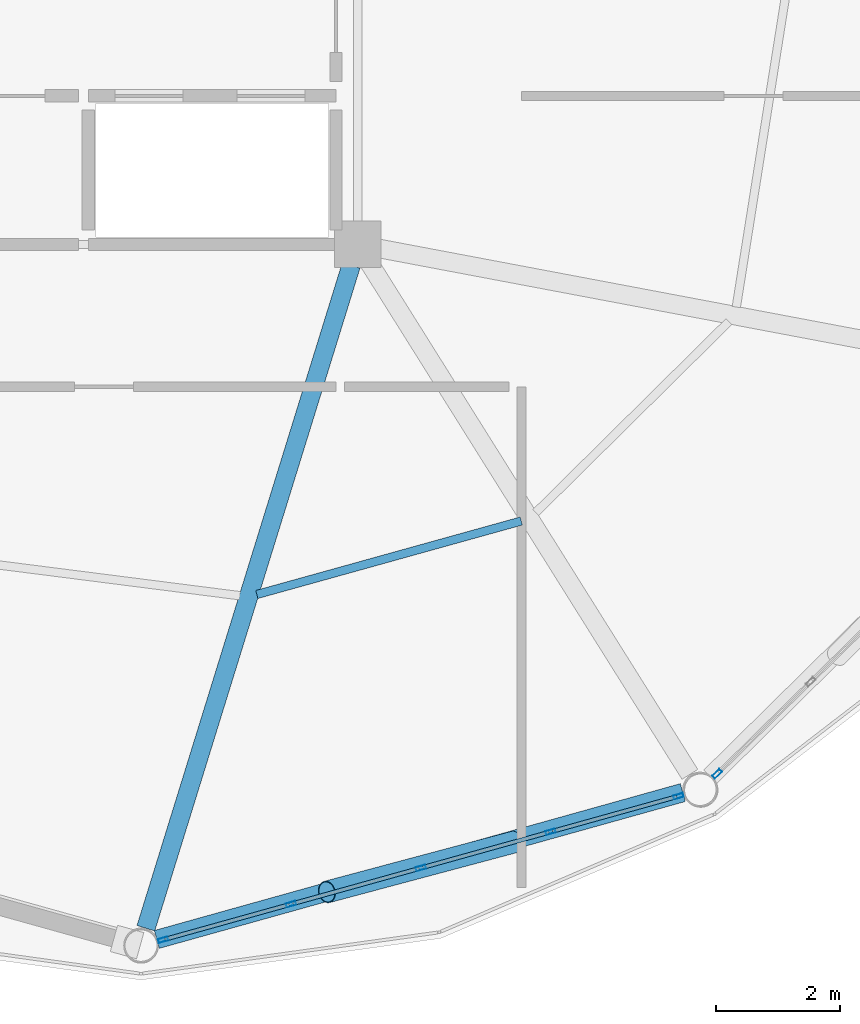
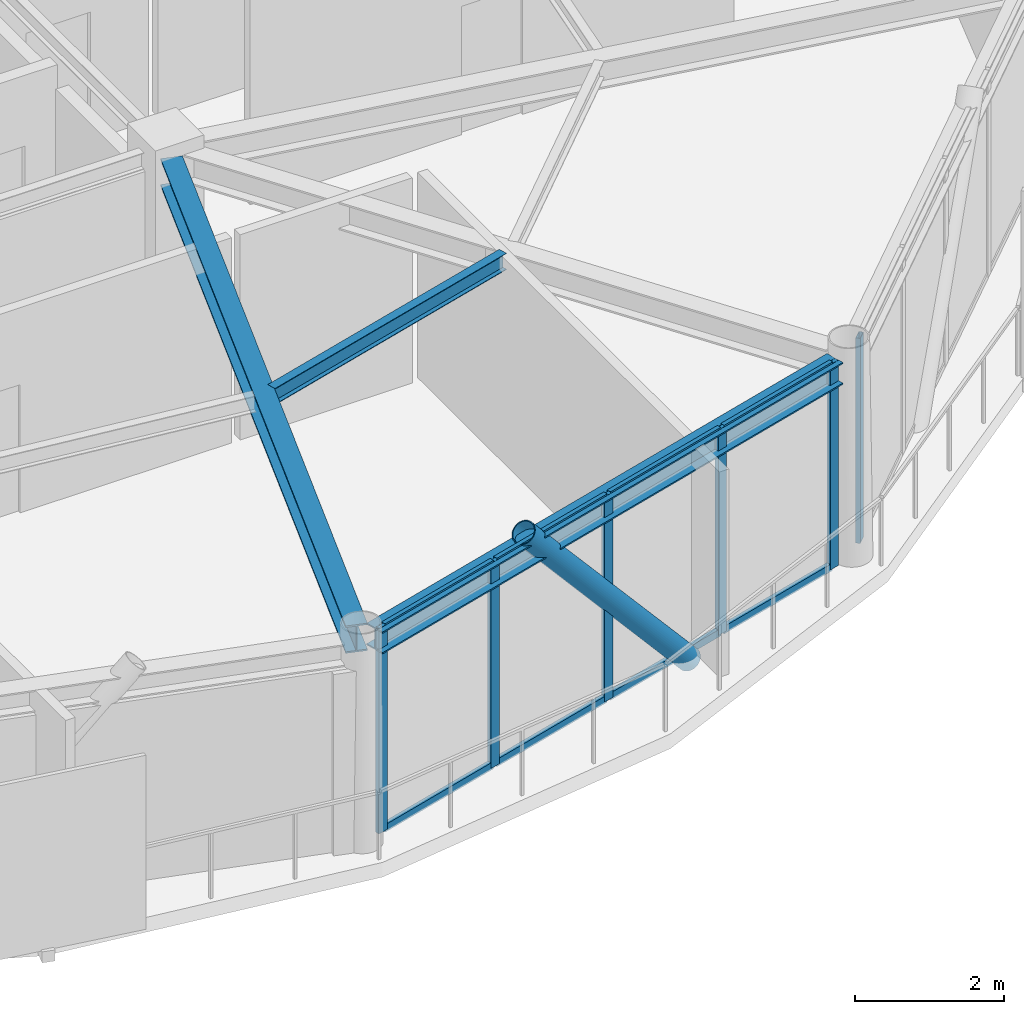
# One storey, part 7 of 27: 15 members, 3 beams, 2 elements without a shape of their own.
"""IFC4 building model written with IfcOpenShell, lengths in metres."""

from ifc_helpers import new_model, si_unit, direction, frame, origin, origin_2d, place, context, subcontext, project, spatial, hollow_rectangle, hollow_circle, i_section, extrude, material, layer, layer_set, material_profile, profile_set, type_object, element, aggregate, save


model = new_model("IFC4")

# Units and contexts
model_context = context("Model", 3, precision=1e-05, world=origin(), true_north=direction((0.0, 1.0)))
body_context = subcontext(model_context, "Body", "Model", "MODEL_VIEW")
ifc_project = project(units=[si_unit("LENGTHUNIT", "METRE"), si_unit("AREAUNIT", "SQUARE_METRE"), si_unit("VOLUMEUNIT", "CUBIC_METRE"), si_unit("PLANEANGLEUNIT", "RADIAN"), si_unit("MASSUNIT", "GRAM", prefix="KILO")], contexts=[model_context])

# Site, building, storey
site_placement = place(None, origin())
site = spatial("IfcSite", under=ifc_project, at=site_placement, CompositionType="ELEMENT")
building_placement = place(site_placement, origin())
building = spatial("IfcBuilding", under=site, at=building_placement, Name="Varnakorn Sky Granary", CompositionType="ELEMENT")
storey_placement = place(building_placement, frame((0.0, 0.0, 263.39990234375)))
storey = spatial("IfcBuildingStorey", under=building, at=storey_placement, Name="L67", CompositionType="ELEMENT", Elevation=263.39990234375)

# Beams
ifc_material_1 = material(Name="Steel S355JR", Category="steel")
ifc_material_profile_1 = material_profile(ifc_material_1, i_section(OverallWidth=0.300048828125, OverallDepth=0.449951171875, WebThickness=0.013916015625, FlangeThickness=0.02587890625, at=origin_2d()), Name="HE 450 B")
ifc_profile_set_1 = profile_set([ifc_material_profile_1], Name="Steel S355JR")
beam_type_1 = type_object("IfcBeamType", Name="BM-RAD-Z5", PredefinedType="BEAM", material=ifc_profile_set_1)
beam_1_placement = place(storey_placement, frame((8.2451171875, -6.939208984375, 3.135009765625), z_axis=(-0.295808145995, -0.955247371503, 0.0), x_axis=(0.955247371503, -0.295808145995, 0.0)))
element("IfcBeam", 1, at=beam_1_placement, inside=storey, type_object=beam_type_1, Name="Radial Floor Girder RG10 L67", PredefinedType="BEAM", context=body_context, shape_type="SweptSolid", body=[
    extrude(i_section(OverallWidth=0.300048828125, OverallDepth=0.449951171875, WebThickness=0.013916015625, FlangeThickness=0.02587890625, at=origin_2d()), origin(), (0.0, 0.0, 1.0), 11.212890625),
])
ifc_material_profile_2 = material_profile(ifc_material_1, i_section(OverallWidth=0.135009765625, OverallDepth=0.27001953125, WebThickness=0.006591796875, FlangeThickness=0.01025390625, at=origin_2d()), Name="IPE 270")
ifc_profile_set_2 = profile_set([ifc_material_profile_2], Name="Steel S355JR")
beam_type_2 = type_object("IfcBeamType", Name="BM-SEC-Z5", PredefinedType="BEAM", material=ifc_profile_set_2)
beam_2_placement = place(storey_placement, frame((6.721435546875, -12.257080078125, 3.22509765625), z_axis=(0.96348477762, 0.267763110407, 0.0), x_axis=(-0.267763110407, 0.96348477762, 0.0)))
element("IfcBeam", 2, at=beam_2_placement, inside=storey, type_object=beam_type_2, Name="Secondary Floor Chord Beam MSB10 L67", PredefinedType="BEAM", context=body_context, shape_type="SweptSolid", body=[
    extrude(i_section(OverallWidth=0.135009765625, OverallDepth=0.27001953125, WebThickness=0.006591796875, FlangeThickness=0.01025390625, at=origin_2d()), origin(), (0.0, 0.0, 1.0), 4.434814453125),
])
ifc_material_profile_3 = material_profile(ifc_material_1, i_section(OverallWidth=0.300048828125, OverallDepth=0.360107421875, WebThickness=0.012451171875, FlangeThickness=0.0224609375, at=origin_2d()), Name="HE 360 B")
ifc_profile_set_3 = profile_set([ifc_material_profile_3], Name="Steel S355JR")
beam_type_3 = type_object("IfcBeamType", Name="BM-SPD-Z5", PredefinedType="SPANDREL", material=ifc_profile_set_3)
beam_3_placement = place(storey_placement, frame((5.104736328125, -17.831787109375, 3.18017578125), z_axis=(0.963169148577, 0.268896246218, 0.0), x_axis=(-0.268896246218, 0.963169148577, 0.0)))
element("IfcBeam", 3, at=beam_3_placement, inside=storey, type_object=beam_type_3, Name="Perimeter Spandrel Ring Beam RB10 L67", PredefinedType="SPANDREL", context=body_context, shape_type="SweptSolid", body=[
    extrude(i_section(OverallWidth=0.300048828125, OverallDepth=0.360107421875, WebThickness=0.012451171875, FlangeThickness=0.0224609375, at=origin_2d()), origin(), (0.0, 0.0, 1.0), 8.825927734375),
])

# Curtain wall, members
ifc_material_2 = material(Name="Anodised Bronze Aluminium Alloy 6063-T6", Category="aluminium")
ifc_layer = layer(ifc_material_2, 0.159912109375, Name="Anodised Bronze Aluminium Alloy 6063-T6")
ifc_layer_set = layer_set([ifc_layer], Name="Anodised Bronze Aluminium Alloy 6063-T6")
curtain_wall_type = type_object("IfcCurtainWallType", Name="CW-OFF-1", PredefinedType="USERDEFINED", material=ifc_layer_set)
curtain_wall_1_placement = place(storey_placement, origin())
curtain_wall_1 = element("IfcCurtainWall", 4, at=curtain_wall_1_placement, inside=storey, type_object=curtain_wall_type, Name="Unitised Curtain Wall CW6 CW-L67-B10", ObjectType="CURTAIN WALL", PredefinedType="USERDEFINED")
ifc_material_profile_4 = material_profile(ifc_material_2, hollow_rectangle(XDim=0.06494140625, YDim=0.159912109375, WallThickness=0.00341796875, at=origin_2d()), Name="ALU MULL 65x160")
ifc_profile_set_4 = profile_set([ifc_material_profile_4], Name="Anodised Bronze Aluminium Alloy 6063-T6")
member_type_1 = type_object("IfcMemberType", Name="CW-OFF-1-MULL", PredefinedType="MULLION", material=ifc_profile_set_4)
member_1_placement = place(storey_placement, frame((13.5361328125, -15.516845703125, 0.0), z_axis=(0.0, 0.0, 1.0), x_axis=(0.268401127573, -0.963307237966, 0.0)))
member_1 = element("IfcMember", 5, at=member_1_placement, type_object=member_type_1, Name="CW6 mullion 1", PredefinedType="MULLION", context=body_context, shape_type="SweptSolid", body=[
    extrude(hollow_rectangle(XDim=0.06494140625, YDim=0.159912109375, WallThickness=0.00341796875, at=origin_2d()), origin(), (0.0, 0.0, 1.0), 3.360107421875),
])
member_2_placement = place(storey_placement, frame((11.469970703125, -16.092529296875, 0.0), z_axis=(0.0, 0.0, 1.0), x_axis=(0.268401127573, -0.963307237966, 0.0)))
member_2 = element("IfcMember", 6, at=member_2_placement, type_object=member_type_1, Name="CW6 mullion 2", PredefinedType="MULLION", context=body_context, shape_type="SweptSolid", body=[
    extrude(hollow_rectangle(XDim=0.06494140625, YDim=0.159912109375, WallThickness=0.00341796875, at=origin_2d()), origin(), (0.0, 0.0, 1.0), 3.360107421875),
])
member_3_placement = place(storey_placement, frame((9.372314453125, -16.677001953125, 0.0), z_axis=(0.0, 0.0, 1.0), x_axis=(0.268401127573, -0.963307237966, 0.0)))
member_3 = element("IfcMember", 7, at=member_3_placement, type_object=member_type_1, Name="CW6 mullion 3", PredefinedType="MULLION", context=body_context, shape_type="SweptSolid", body=[
    extrude(hollow_rectangle(XDim=0.06494140625, YDim=0.159912109375, WallThickness=0.00341796875, at=origin_2d()), origin(), (0.0, 0.0, 1.0), 3.360107421875),
])
member_4_placement = place(storey_placement, frame((7.274658203125, -17.261474609375, 0.0), z_axis=(0.0, 0.0, 1.0), x_axis=(0.268401127573, -0.963307237966, 0.0)))
member_4 = element("IfcMember", 8, at=member_4_placement, type_object=member_type_1, Name="CW6 mullion 4", PredefinedType="MULLION", context=body_context, shape_type="SweptSolid", body=[
    extrude(hollow_rectangle(XDim=0.06494140625, YDim=0.159912109375, WallThickness=0.00341796875, at=origin_2d()), origin(), (0.0, 0.0, 1.0), 3.360107421875),
])
member_5_placement = place(storey_placement, frame((5.208251953125, -17.837158203125, 0.0), z_axis=(0.0, 0.0, 1.0), x_axis=(0.268401127573, -0.963307237966, 0.0)))
member_5 = element("IfcMember", 9, at=member_5_placement, type_object=member_type_1, Name="CW6 mullion 5", PredefinedType="MULLION", context=body_context, shape_type="SweptSolid", body=[
    extrude(hollow_rectangle(XDim=0.06494140625, YDim=0.159912109375, WallThickness=0.00341796875, at=origin_2d()), origin(), (0.0, 0.0, 1.0), 3.360107421875),
])

# Curtain wall, member
curtain_wall_2_placement = place(storey_placement, origin())
curtain_wall_2 = element("IfcCurtainWall", 10, at=curtain_wall_2_placement, inside=storey, type_object=curtain_wall_type, Name="Unitised Curtain Wall CW6 CW-L67-B11", ObjectType="CURTAIN WALL", PredefinedType="USERDEFINED")
member_6_placement = place(storey_placement, frame((14.15966796875, -15.156005859375, 0.0), z_axis=(0.0, 0.0, 1.0), x_axis=(0.701440030116, -0.71272847856, 0.0)))
member_6 = element("IfcMember", 11, at=member_6_placement, type_object=member_type_1, Name="CW6 mullion 5", PredefinedType="MULLION", context=body_context, shape_type="SweptSolid", body=[
    extrude(hollow_rectangle(XDim=0.06494140625, YDim=0.159912109375, WallThickness=0.00341796875, at=origin_2d()), origin(), (0.0, 0.0, 1.0), 3.360107421875),
])
aggregate(curtain_wall_2, [member_6])

# Member
ifc_material_profile_5 = material_profile(ifc_material_2, hollow_rectangle(XDim=0.06494140625, YDim=0.1201171875, WallThickness=0.00341796875, at=origin_2d()), Name="ALU TRAN 65x120")
ifc_profile_set_5 = profile_set([ifc_material_profile_5], Name="Anodised Bronze Aluminium Alloy 6063-T6")
member_type_2 = type_object("IfcMemberType", Name="CW-OFF-1-TRAN", PredefinedType="USERDEFINED", material=ifc_profile_set_5)
member_7_placement = place(storey_placement, frame((13.5048828125, -15.525634765625, 0.03271484375), z_axis=(-0.963327640961, -0.26832788927, 0.0), x_axis=(0.26832788927, -0.963327640961, 0.0)))
member_7 = element("IfcMember", 12, at=member_7_placement, type_object=member_type_2, Name="CW6 transom 1.1", ObjectType="TRANSOM", PredefinedType="USERDEFINED", context=body_context, shape_type="SweptSolid", body=[
    extrude(hollow_rectangle(XDim=0.06494140625, YDim=0.1201171875, WallThickness=0.00341796875, at=origin_2d()), origin(), (0.0, 0.0, 1.0), 2.079833984375),
])

member_8_placement = place(storey_placement, frame((13.5048828125, -15.525634765625, 3.32763671875), z_axis=(-0.963327640961, -0.26832788927, 0.0), x_axis=(0.26832788927, -0.963327640961, 0.0)))
member_8 = element("IfcMember", 13, at=member_8_placement, type_object=member_type_2, Name="CW6 transom 1.2", ObjectType="TRANSOM", PredefinedType="USERDEFINED", context=body_context, shape_type="SweptSolid", body=[
    extrude(hollow_rectangle(XDim=0.06494140625, YDim=0.1201171875, WallThickness=0.00341796875, at=origin_2d()), origin(), (0.0, 0.0, 1.0), 2.079833984375),
])

member_9_placement = place(storey_placement, frame((11.4384765625, -16.101318359375, 0.03271484375), z_axis=(-0.963317287661, -0.268365056023, 0.0), x_axis=(0.268365056023, -0.963317287661, 0.0)))
member_9 = element("IfcMember", 14, at=member_9_placement, type_object=member_type_2, Name="CW6 transom 2.1", ObjectType="TRANSOM", PredefinedType="USERDEFINED", context=body_context, shape_type="SweptSolid", body=[
    extrude(hollow_rectangle(XDim=0.06494140625, YDim=0.1201171875, WallThickness=0.00341796875, at=origin_2d()), origin(), (0.0, 0.0, 1.0), 2.1123046875),
])

member_10_placement = place(storey_placement, frame((11.4384765625, -16.101318359375, 3.32763671875), z_axis=(-0.963317287661, -0.268365056023, 0.0), x_axis=(0.268365056023, -0.963317287661, 0.0)))
member_10 = element("IfcMember", 15, at=member_10_placement, type_object=member_type_2, Name="CW6 transom 2.2", ObjectType="TRANSOM", PredefinedType="USERDEFINED", context=body_context, shape_type="SweptSolid", body=[
    extrude(hollow_rectangle(XDim=0.06494140625, YDim=0.1201171875, WallThickness=0.00341796875, at=origin_2d()), origin(), (0.0, 0.0, 1.0), 2.1123046875),
])

member_11_placement = place(storey_placement, frame((9.341064453125, -16.685791015625, 0.03271484375), z_axis=(-0.963325609957, -0.268335180701, 0.0), x_axis=(0.268335180701, -0.963325609957, 0.0)))
member_11 = element("IfcMember", 16, at=member_11_placement, type_object=member_type_2, Name="CW6 transom 3.1", ObjectType="TRANSOM", PredefinedType="USERDEFINED", context=body_context, shape_type="SweptSolid", body=[
    extrude(hollow_rectangle(XDim=0.06494140625, YDim=0.1201171875, WallThickness=0.00341796875, at=origin_2d()), origin(), (0.0, 0.0, 1.0), 2.112548828125),
])

member_12_placement = place(storey_placement, frame((9.341064453125, -16.685791015625, 3.32763671875), z_axis=(-0.963325609957, -0.268335180701, 0.0), x_axis=(0.268335180701, -0.963325609957, 0.0)))
member_12 = element("IfcMember", 17, at=member_12_placement, type_object=member_type_2, Name="CW6 transom 3.2", ObjectType="TRANSOM", PredefinedType="USERDEFINED", context=body_context, shape_type="SweptSolid", body=[
    extrude(hollow_rectangle(XDim=0.06494140625, YDim=0.1201171875, WallThickness=0.00341796875, at=origin_2d()), origin(), (0.0, 0.0, 1.0), 2.112548828125),
])

member_13_placement = place(storey_placement, frame((7.243408203125, -17.270263671875, 0.03271484375), z_axis=(-0.963336090783, -0.2682975516, 0.0), x_axis=(0.2682975516, -0.963336090783, 0.0)))
member_13 = element("IfcMember", 18, at=member_13_placement, type_object=member_type_2, Name="CW6 transom 4.1", ObjectType="TRANSOM", PredefinedType="USERDEFINED", context=body_context, shape_type="SweptSolid", body=[
    extrude(hollow_rectangle(XDim=0.06494140625, YDim=0.1201171875, WallThickness=0.00341796875, at=origin_2d()), origin(), (0.0, 0.0, 1.0), 2.080078125),
])

member_14_placement = place(storey_placement, frame((7.243408203125, -17.270263671875, 3.32763671875), z_axis=(-0.963336090783, -0.2682975516, 0.0), x_axis=(0.2682975516, -0.963336090783, 0.0)))
member_14 = element("IfcMember", 19, at=member_14_placement, type_object=member_type_2, Name="CW6 transom 4.2", ObjectType="TRANSOM", PredefinedType="USERDEFINED", context=body_context, shape_type="SweptSolid", body=[
    extrude(hollow_rectangle(XDim=0.06494140625, YDim=0.1201171875, WallThickness=0.00341796875, at=origin_2d()), origin(), (0.0, 0.0, 1.0), 2.080078125),
])

aggregate(curtain_wall_1, [member_1, member_2, member_3, member_4, member_5, member_7, member_8, member_9, member_10, member_11, member_12, member_13, member_14])

ifc_material_3 = material(Name="Steel S460M", Category="steel")
ifc_material_profile_6 = material_profile(ifc_material_3, hollow_circle(Radius=0.177734375, WallThickness=0.01416015625, at=origin_2d()), Name="CHS 355.6x14")
ifc_profile_set_6 = profile_set([ifc_material_profile_6], Name="Steel S460M")
member_type_3 = type_object("IfcMemberType", Name="MB-DIAG-T5", PredefinedType="BRACE", material=ifc_profile_set_6)
member_15_placement = place(storey_placement, frame((10.879638671875, -16.257080078125, -0.1298828125), z_axis=(-0.632190475095, -0.168669132807, 0.75623139768), x_axis=(0.257783941573, -0.966202587177, 0.0)))
element("IfcMember", 20, at=member_15_placement, inside=storey, type_object=member_type_3, Name="Perimeter CHS Diagrid Brace DG10 L67", PredefinedType="BRACE", context=body_context, shape_type="SweptSolid", body=[
    extrude(hollow_circle(Radius=0.177734375, WallThickness=0.01416015625, at=origin_2d()), origin(), (0.0, 0.0, 1.0), 4.78662109375),
])

save(model, "model.ifc")
